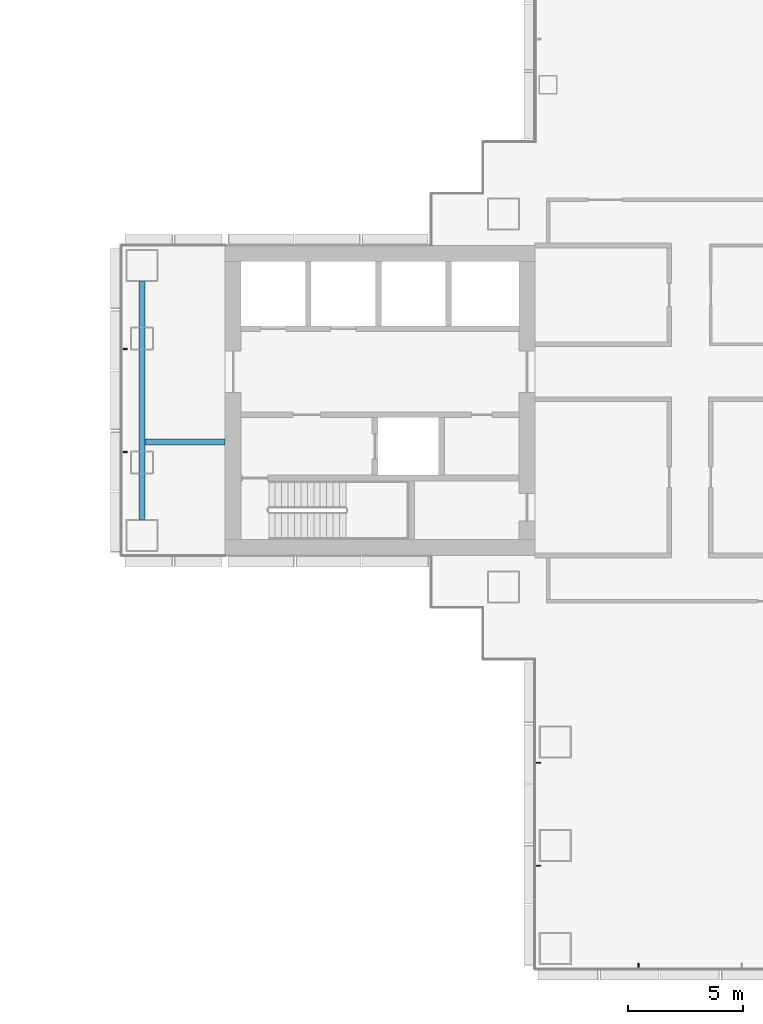
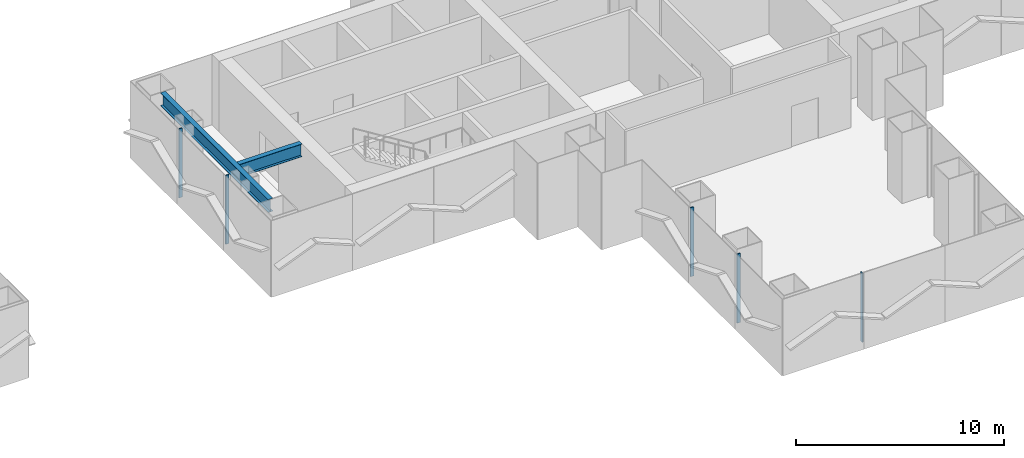
# One storey, part 7 of 22: 5 members, 2 beams, 3 elements without a shape of their own.
"""IFC4 building model written with IfcOpenShell, lengths in metres."""

from ifc_helpers import new_model, si_unit, direction, frame, origin, origin_2d, place, context, subcontext, project, spatial, rectangle, i_section, extrude, material, layer, layer_set, material_profile, profile_set, type_object, element, aggregate, save


model = new_model("IFC4")

# Units and contexts
model_context = context("Model", 3, precision=1e-05, world=origin(), true_north=direction((0.0, 1.0)))
body_context = subcontext(model_context, "Body", "Model", "MODEL_VIEW")
ifc_project = project(units=[si_unit("LENGTHUNIT", "METRE"), si_unit("AREAUNIT", "SQUARE_METRE"), si_unit("VOLUMEUNIT", "CUBIC_METRE"), si_unit("PLANEANGLEUNIT", "RADIAN"), si_unit("MASSUNIT", "GRAM", prefix="KILO")], contexts=[model_context])

# Site, building, storey
site_placement = place(None, origin())
site = spatial("IfcSite", under=ifc_project, at=site_placement, CompositionType="ELEMENT")
building_placement = place(site_placement, origin())
building = spatial("IfcBuilding", under=site, at=building_placement, Name="Shamsa Quay Exchange Towers", CompositionType="ELEMENT")
storey_placement = place(building_placement, frame((0.0, 0.0, 33.0)))
storey = spatial("IfcBuildingStorey", under=building, at=storey_placement, Name="L06", CompositionType="ELEMENT", Elevation=33.0)

# Curtain wall, members
ifc_material_1 = material(Name="Aluminium EN AW-6063 T6, black anodised", Category="aluminium")
ifc_layer = layer(ifc_material_1, 0.280029296875)
ifc_layer_set = layer_set([ifc_layer], Name="CW-1 UNITISED VISION GLASS")
curtain_wall_type = type_object("IfcCurtainWallType", Name="CW-1 UNITISED VISION GLASS", PredefinedType="NOTDEFINED", material=ifc_layer_set)
curtain_wall_1_placement = place(storey_placement, origin())
curtain_wall_1 = element("IfcCurtainWall", 1, at=curtain_wall_1_placement, inside=storey, type_object=curtain_wall_type, Name="CW1 T2-END-V+ L06", PredefinedType="NOTDEFINED")
ifc_material_profile_1 = material_profile(ifc_material_1, rectangle(XDim=0.179931640625, YDim=0.06005859375, at=origin_2d()), Name="MU60x180")
ifc_profile_set_1 = profile_set([ifc_material_profile_1], Name="Aluminium EN AW-6063 T6, black anodised")
member_type = type_object("IfcMemberType", Name="CW1 MULLION 60x180", PredefinedType="MULLION", material=ifc_profile_set_1)
member_1_placement = place(storey_placement, frame((9.14990234375, 2.25, 0.0)))
member_1 = element("IfcMember", 2, at=member_1_placement, type_object=member_type, Name="CW1 mullion", PredefinedType="MULLION", context=body_context, shape_type="SweptSolid", body=[
    extrude(rectangle(XDim=0.179931640625, YDim=0.06005859375, at=origin_2d()), origin(), (0.0, 0.0, 1.0), 4.050048828125),
])
member_2_placement = place(storey_placement, frame((9.14990234375, -2.25, 0.0)))
member_2 = element("IfcMember", 3, at=member_2_placement, type_object=member_type, Name="CW1 mullion", PredefinedType="MULLION", context=body_context, shape_type="SweptSolid", body=[
    extrude(rectangle(XDim=0.179931640625, YDim=0.06005859375, at=origin_2d()), origin(), (0.0, 0.0, 1.0), 4.050048828125),
])
aggregate(curtain_wall_1, [member_1, member_2])

curtain_wall_2_placement = place(storey_placement, origin())
curtain_wall_2 = element("IfcCurtainWall", 4, at=curtain_wall_2_placement, inside=storey, type_object=curtain_wall_type, Name="CW1 T2-FLK-U-N L06", PredefinedType="NOTDEFINED")
member_3_placement = place(storey_placement, frame((27.14990234375, -15.775390625, 0.0)))
member_3 = element("IfcMember", 5, at=member_3_placement, type_object=member_type, Name="CW1 mullion", PredefinedType="MULLION", context=body_context, shape_type="SweptSolid", body=[
    extrude(rectangle(XDim=0.179931640625, YDim=0.06005859375, at=origin_2d()), origin(), (0.0, 0.0, 1.0), 4.050048828125),
])
member_4_placement = place(storey_placement, frame((27.14990234375, -20.2626953125, 0.0)))
member_4 = element("IfcMember", 6, at=member_4_placement, type_object=member_type, Name="CW1 mullion", PredefinedType="MULLION", context=body_context, shape_type="SweptSolid", body=[
    extrude(rectangle(XDim=0.179931640625, YDim=0.06005859375, at=origin_2d()), origin(), (0.0, 0.0, 1.0), 4.050048828125),
])
aggregate(curtain_wall_2, [member_3, member_4])

# Curtain wall, member
curtain_wall_3_placement = place(storey_placement, origin())
curtain_wall_3 = element("IfcCurtainWall", 7, at=curtain_wall_3_placement, inside=storey, type_object=curtain_wall_type, Name="CW1 T2-END-U- L06", PredefinedType="NOTDEFINED")
member_5_placement = place(storey_placement, frame((31.5, -24.60009765625, 0.0), z_axis=(0.0, 0.0, 1.0), x_axis=(0.0, 1.0, 0.0)))
member_5 = element("IfcMember", 8, at=member_5_placement, type_object=member_type, Name="CW1 mullion", PredefinedType="MULLION", context=body_context, shape_type="SweptSolid", body=[
    extrude(rectangle(XDim=0.179931640625, YDim=0.06005859375, at=origin_2d()), origin(), (0.0, 0.0, 1.0), 4.050048828125),
])
aggregate(curtain_wall_3, [member_5])

# Beams
ifc_material_2 = material(Name="Steel S355", Category="steel")
ifc_material_profile_2 = material_profile(ifc_material_2, i_section(OverallWidth=0.26611328125, OverallDepth=0.7578125, WebThickness=0.013916015625, FlangeThickness=0.019287109375, at=origin_2d()), Name="W30x108")
ifc_profile_set_2 = profile_set([ifc_material_profile_2], Name="Steel S355")
beam_type = type_object("IfcBeamType", Name="End-zone beam W30x108", PredefinedType="BEAM", material=ifc_profile_set_2)
beam_1_placement = place(storey_placement, frame((9.875, -5.175048828125, 3.771240234375), z_axis=(0.0, 1.0, 0.0), x_axis=(-1.0, 0.0, 0.0)))
element("IfcBeam", 9, at=beam_1_placement, inside=storey, type_object=beam_type, Name="End beam T2 V+ end zone L06", PredefinedType="BEAM", context=body_context, shape_type="SweptSolid", body=[
    extrude(i_section(OverallWidth=0.26611328125, OverallDepth=0.7578125, WebThickness=0.013916015625, FlangeThickness=0.019287109375, at=origin_2d()), origin(), (0.0, 0.0, 1.0), 10.35009765625),
])
beam_2_placement = place(storey_placement, frame((13.5, -1.800048828125, 3.771240234375), z_axis=(-1.0, 0.0, 0.0), x_axis=(0.0, -1.0, 0.0)))
element("IfcBeam", 10, at=beam_2_placement, inside=storey, type_object=beam_type, Name="Spine beam T2 V+ end zone L06", PredefinedType="BEAM", context=body_context, shape_type="SweptSolid", body=[
    extrude(i_section(OverallWidth=0.26611328125, OverallDepth=0.7578125, WebThickness=0.013916015625, FlangeThickness=0.019287109375, at=origin_2d()), origin(), (0.0, 0.0, 1.0), 3.491943359375),
])

save(model, "model.ifc")
